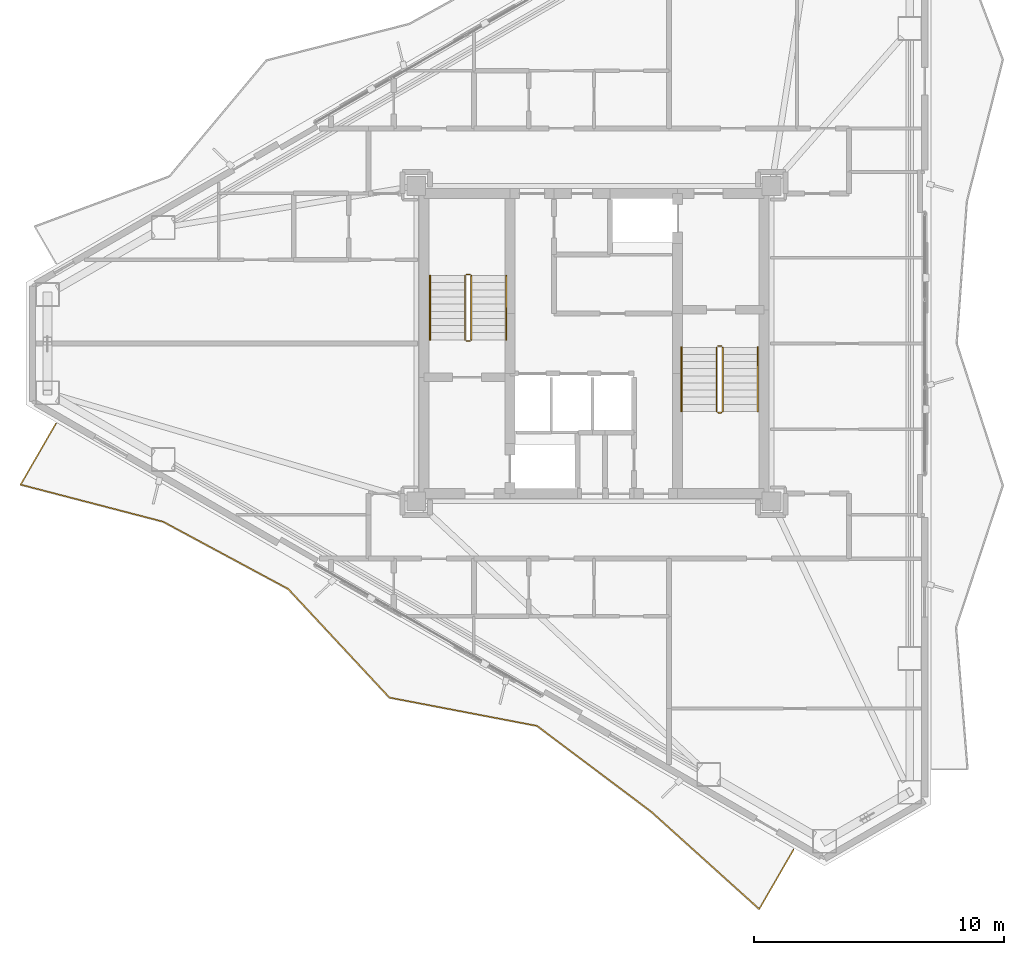
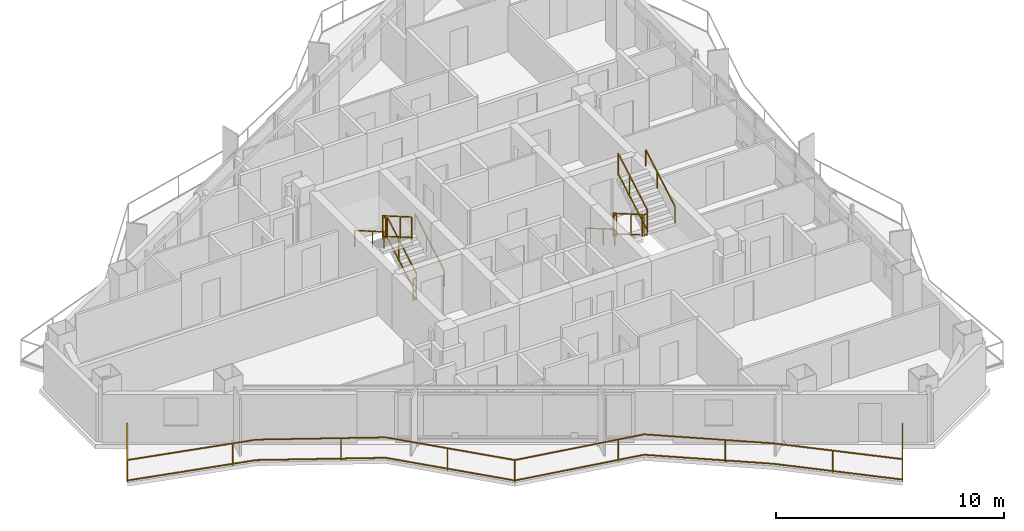
# One storey, part 17 of 18: 13 railings.
"""IFC4 building model written with IfcOpenShell, lengths in metres."""

from ifc_helpers import new_model, si_unit, direction, frame, origin, origin_2d, place, context, subcontext, project, spatial, rectangle, extrude, material, type_object, element, save


model = new_model("IFC4")

# Units and contexts
model_context = context("Model", 3, precision=1e-05, world=origin(), true_north=direction((0.0, 1.0)))
body_context = subcontext(model_context, "Body", "Model", "MODEL_VIEW")
ifc_project = project(units=[si_unit("LENGTHUNIT", "METRE"), si_unit("AREAUNIT", "SQUARE_METRE"), si_unit("VOLUMEUNIT", "CUBIC_METRE"), si_unit("PLANEANGLEUNIT", "RADIAN"), si_unit("MASSUNIT", "GRAM", prefix="KILO")], contexts=[model_context])

# Site, building, storey
site_placement = place(None, origin())
site = spatial("IfcSite", under=ifc_project, at=site_placement, CompositionType="ELEMENT")
building_placement = place(site_placement, origin())
building = spatial("IfcBuilding", under=site, at=building_placement, Name="Mersakhor Tower and Convention Hall", CompositionType="ELEMENT")
storey_placement = place(building_placement, frame((0.0, 0.0, 157.5)))
storey = spatial("IfcBuildingStorey", under=building, at=storey_placement, Name="L44", CompositionType="ELEMENT", Elevation=157.5)

# Railings
ifc_material_1 = material(Name="Powder-coated galvanised steel and laminated glass balustrade", Category="steel")
railing_type_1 = type_object("IfcRailingType", Name="RL-BAL-1200", PredefinedType="BALUSTRADE", material=ifc_material_1)
railing_1_placement = place(storey_placement, frame((7.497802734375, 23.5537109375, 0.0)))
element("IfcRailing", 1, at=railing_1_placement, inside=storey, type_object=railing_type_1, Name="L44 Sinusoidal Balcony Balustrade F3", PredefinedType="BALUSTRADE", context=body_context, shape_type="SweptSolid", body=[
    extrude(rectangle(XDim=0.048095703125, YDim=0.048095703125, at=origin_2d()), frame((0.0, 0.0, 1.17578125), z_axis=(-0.500049687543, -0.865996714767, 0.0), x_axis=(0.865996714767, -0.500049687543, 0.0)), (0.0, 0.0, 1.0), 2.820068359375),
    extrude(rectangle(XDim=0.048095703125, YDim=0.048095703125, at=origin_2d()), frame((0.0, 0.0, 0.080078125), z_axis=(-0.500049687543, -0.865996714767, 0.0), x_axis=(0.865996714767, -0.500049687543, 0.0)), (0.0, 0.0, 1.0), 2.820068359375),
    extrude(rectangle(XDim=0.048095703125, YDim=0.048095703125, at=origin_2d()), frame((-1.41015625, -2.442138671875, 1.17578125), z_axis=(0.967826142807, -0.251619866661, 0.0), x_axis=(0.251619866661, 0.967826142807, 0.0)), (0.0, 0.0, 1.0), 5.88671875),
    extrude(rectangle(XDim=0.048095703125, YDim=0.048095703125, at=origin_2d()), frame((-1.41015625, -2.442138671875, 0.080078125), z_axis=(0.967826142807, -0.251619866661, 0.0), x_axis=(0.251619866661, 0.967826142807, 0.0)), (0.0, 0.0, 1.0), 5.88671875),
    extrude(rectangle(XDim=0.048095703125, YDim=0.048095703125, at=origin_2d()), frame((4.287109375, -3.92333984375, 1.17578125), z_axis=(0.880780231077, -0.473525273394, 0.0), x_axis=(0.473525273394, 0.880780231077, 0.0)), (0.0, 0.0, 1.0), 5.677001953125),
    extrude(rectangle(XDim=0.048095703125, YDim=0.048095703125, at=origin_2d()), frame((4.287109375, -3.92333984375, 0.080078125), z_axis=(0.880780231077, -0.473525273394, 0.0), x_axis=(0.473525273394, 0.880780231077, 0.0)), (0.0, 0.0, 1.0), 5.677001953125),
    extrude(rectangle(XDim=0.048095703125, YDim=0.048095703125, at=origin_2d()), frame((9.287353515625, -6.611572265625, 1.17578125), z_axis=(0.681630508805, -0.731696555592, 0.0), x_axis=(0.731696555592, 0.681630508805, 0.0)), (0.0, 0.0, 1.0), 5.9345703125),
    extrude(rectangle(XDim=0.048095703125, YDim=0.048095703125, at=origin_2d()), frame((9.287353515625, -6.611572265625, 0.080078125), z_axis=(0.681630508805, -0.731696555592, 0.0), x_axis=(0.731696555592, 0.681630508805, 0.0)), (0.0, 0.0, 1.0), 5.9345703125),
    extrude(rectangle(XDim=0.048095703125, YDim=0.048095703125, at=origin_2d()), frame((13.33251953125, -10.953857421875, 1.17578125), z_axis=(0.982118753719, -0.188262459329, 0.0), x_axis=(0.188262459329, 0.982118753719, 0.0)), (0.0, 0.0, 1.0), 6.0068359375),
    extrude(rectangle(XDim=0.048095703125, YDim=0.048095703125, at=origin_2d()), frame((13.33251953125, -10.953857421875, 0.080078125), z_axis=(0.982118753719, -0.188262459329, 0.0), x_axis=(0.188262459329, 0.982118753719, 0.0)), (0.0, 0.0, 1.0), 6.0068359375),
    extrude(rectangle(XDim=0.048095703125, YDim=0.048095703125, at=origin_2d()), frame((19.23193359375, -12.084716796875, 1.17578125), z_axis=(0.799476905568, -0.600696826579, 0.0), x_axis=(0.600696826579, 0.799476905568, 0.0)), (0.0, 0.0, 1.0), 5.716064453125),
    extrude(rectangle(XDim=0.048095703125, YDim=0.048095703125, at=origin_2d()), frame((19.23193359375, -12.084716796875, 0.080078125), z_axis=(0.799476905568, -0.600696826579, 0.0), x_axis=(0.600696826579, 0.799476905568, 0.0)), (0.0, 0.0, 1.0), 5.716064453125),
    extrude(rectangle(XDim=0.048095703125, YDim=0.048095703125, at=origin_2d()), frame((23.8017578125, -15.518310546875, 1.17578125), z_axis=(0.742766657644, -0.669550365762, 0.0), x_axis=(0.669550365762, 0.742766657644, 0.0)), (0.0, 0.0, 1.0), 5.802001953125),
    extrude(rectangle(XDim=0.048095703125, YDim=0.048095703125, at=origin_2d()), frame((23.8017578125, -15.518310546875, 0.080078125), z_axis=(0.742766657644, -0.669550365762, 0.0), x_axis=(0.669550365762, 0.742766657644, 0.0)), (0.0, 0.0, 1.0), 5.802001953125),
    extrude(rectangle(XDim=0.048095703125, YDim=0.048095703125, at=origin_2d()), frame((28.111328125, -19.403076171875, 1.17578125), z_axis=(0.499999305434, 0.866025804792, 0.0), x_axis=(-0.866025804792, 0.499999305434, 0.0)), (0.0, 0.0, 1.0), 2.748046875),
    extrude(rectangle(XDim=0.048095703125, YDim=0.048095703125, at=origin_2d()), frame((28.111328125, -19.403076171875, 0.080078125), z_axis=(0.499999305434, 0.866025804792, 0.0), x_axis=(-0.866025804792, 0.499999305434, 0.0)), (0.0, 0.0, 1.0), 2.748046875),
    extrude(rectangle(XDim=0.0419921875, YDim=0.0419921875, at=origin_2d()), origin(), (0.0, 0.0, 1.0), 1.15185546875),
    extrude(rectangle(XDim=0.0419921875, YDim=0.0419921875, at=origin_2d()), frame((-1.41015625, -2.442138671875, 0.0)), (0.0, 0.0, 1.0), 1.15185546875),
    extrude(rectangle(XDim=0.0419921875, YDim=0.0419921875, at=origin_2d()), frame((3.2353515625, -3.64990234375, 0.0)), (0.0, 0.0, 1.0), 1.15185546875),
    extrude(rectangle(XDim=0.0419921875, YDim=0.0419921875, at=origin_2d()), frame((7.557861328125, -5.681640625, 0.0)), (0.0, 0.0, 1.0), 1.15185546875),
    extrude(rectangle(XDim=0.0419921875, YDim=0.0419921875, at=origin_2d()), frame((11.220703125, -8.686767578125, 0.0)), (0.0, 0.0, 1.0), 1.15185546875),
    extrude(rectangle(XDim=0.0419921875, YDim=0.0419921875, at=origin_2d()), frame((13.33251953125, -10.953857421875, 0.0)), (0.0, 0.0, 1.0), 1.15185546875),
    extrude(rectangle(XDim=0.0419921875, YDim=0.0419921875, at=origin_2d()), frame((18.046630859375, -11.857421875, 0.0)), (0.0, 0.0, 1.0), 1.15185546875),
    extrude(rectangle(XDim=0.0419921875, YDim=0.0419921875, at=origin_2d()), frame((22.1044921875, -14.2431640625, 0.0)), (0.0, 0.0, 1.0), 1.15185546875),
    extrude(rectangle(XDim=0.0419921875, YDim=0.0419921875, at=origin_2d()), frame((25.790283203125, -17.310791015625, 0.0)), (0.0, 0.0, 1.0), 1.15185546875),
    extrude(rectangle(XDim=0.0419921875, YDim=0.0419921875, at=origin_2d()), frame((28.111328125, -19.403076171875, 0.0)), (0.0, 0.0, 1.0), 1.15185546875),
    extrude(rectangle(XDim=0.0419921875, YDim=0.0419921875, at=origin_2d()), frame((29.4853515625, -17.023193359375, 0.0)), (0.0, 0.0, 1.0), 1.15185546875),
])
ifc_material_2 = material(Name="Brushed stainless steel handrail", Category="steel")
railing_type_2 = type_object("IfcRailingType", Name="RL-HR-900", PredefinedType="HANDRAIL", material=ifc_material_2)
railing_2_placement = place(storey_placement, frame((25.5, 26.89990234375, 0.1650390625)))
element("IfcRailing", 2, at=railing_2_placement, inside=storey, type_object=railing_type_2, Name="L44 ST-1 stair handrail 1", PredefinedType="HANDRAIL", context=body_context, shape_type="SweptSolid", body=[
    extrude(rectangle(XDim=0.048095703125, YDim=0.048095703125, at=origin_2d()), frame((0.0, 0.0, 0.8759765625), z_axis=(0.0, 0.865461999751, 0.500974577186), x_axis=(-1.0, 0.0, 0.0)), (0.0, 0.0, 1.0), 2.9638671875),
    extrude(rectangle(XDim=0.0419921875, YDim=0.0419921875, at=origin_2d()), origin(), (0.0, 0.0, 1.0), 0.851806640625),
    extrude(rectangle(XDim=0.0419921875, YDim=0.0419921875, at=origin_2d()), frame((0.0, 1.557861328125, 0.90185546875)), (0.0, 0.0, 1.0), 0.851806640625),
    extrude(rectangle(XDim=0.0419921875, YDim=0.0419921875, at=origin_2d()), frame((0.0, 2.565185546875, 1.48486328125)), (0.0, 0.0, 1.0), 0.851806640625),
])
railing_3_placement = place(storey_placement, frame((22.449951171875, 29.465087890625, 1.81494140625)))
element("IfcRailing", 3, at=railing_3_placement, inside=storey, type_object=railing_type_2, Name="L44 ST-1 stair handrail 2", PredefinedType="HANDRAIL", context=body_context, shape_type="SweptSolid", body=[
    extrude(rectangle(XDim=0.048095703125, YDim=0.048095703125, at=origin_2d()), frame((0.0, 0.0, 0.8759765625), z_axis=(0.0, -0.865426285481, 0.501036270542), x_axis=(1.0, 0.0, 0.0)), (0.0, 0.0, 1.0), 2.964111328125),
    extrude(rectangle(XDim=0.0419921875, YDim=0.0419921875, at=origin_2d()), origin(), (0.0, 0.0, 1.0), 0.851806640625),
    extrude(rectangle(XDim=0.0419921875, YDim=0.0419921875, at=origin_2d()), frame((0.0, -1.557861328125, 0.90185546875)), (0.0, 0.0, 1.0), 0.851806640625),
    extrude(rectangle(XDim=0.0419921875, YDim=0.0419921875, at=origin_2d()), frame((0.0, -2.565185546875, 1.485107421875)), (0.0, 0.0, 1.0), 0.851806640625),
])
railing_4_placement = place(storey_placement, frame((32.5, 26.60009765625, 0.1650390625)))
element("IfcRailing", 4, at=railing_4_placement, inside=storey, type_object=railing_type_2, Name="L44 ST-2 stair handrail 1", PredefinedType="HANDRAIL", context=body_context, shape_type="SweptSolid", body=[
    extrude(rectangle(XDim=0.048095703125, YDim=0.048095703125, at=origin_2d()), frame((0.0, 0.0, 0.8759765625), z_axis=(0.0, -0.865461999751, 0.500974577186), x_axis=(1.0, 0.0, 0.0)), (0.0, 0.0, 1.0), 2.9638671875),
    extrude(rectangle(XDim=0.0419921875, YDim=0.0419921875, at=origin_2d()), origin(), (0.0, 0.0, 1.0), 0.851806640625),
    extrude(rectangle(XDim=0.0419921875, YDim=0.0419921875, at=origin_2d()), frame((0.0, -1.557861328125, 0.90185546875)), (0.0, 0.0, 1.0), 0.851806640625),
    extrude(rectangle(XDim=0.0419921875, YDim=0.0419921875, at=origin_2d()), frame((0.0, -2.565185546875, 1.48486328125)), (0.0, 0.0, 1.0), 0.851806640625),
])
railing_5_placement = place(storey_placement, frame((35.550048828125, 24.034912109375, 1.81494140625)))
element("IfcRailing", 5, at=railing_5_placement, inside=storey, type_object=railing_type_2, Name="L44 ST-2 stair handrail 2", PredefinedType="HANDRAIL", context=body_context, shape_type="SweptSolid", body=[
    extrude(rectangle(XDim=0.048095703125, YDim=0.048095703125, at=origin_2d()), frame((0.0, 0.0, 0.8759765625), z_axis=(0.0, 0.865426285481, 0.501036270542), x_axis=(-1.0, 0.0, 0.0)), (0.0, 0.0, 1.0), 2.964111328125),
    extrude(rectangle(XDim=0.0419921875, YDim=0.0419921875, at=origin_2d()), origin(), (0.0, 0.0, 1.0), 0.851806640625),
    extrude(rectangle(XDim=0.0419921875, YDim=0.0419921875, at=origin_2d()), frame((0.0, 1.557861328125, 0.90185546875)), (0.0, 0.0, 1.0), 0.851806640625),
    extrude(rectangle(XDim=0.0419921875, YDim=0.0419921875, at=origin_2d()), frame((0.0, 2.565185546875, 1.485107421875)), (0.0, 0.0, 1.0), 0.851806640625),
])
ifc_material_3 = material(Name="Painted steel stair balustrade S355", Category="steel")
railing_type_3 = type_object("IfcRailingType", Name="RL-STG-1200", PredefinedType="BALUSTRADE", material=ifc_material_3)
railing_6_placement = place(storey_placement, frame((24.10009765625, 26.89990234375, 0.1650390625)))
element("IfcRailing", 6, at=railing_6_placement, inside=storey, type_object=railing_type_3, Name="L44 ST-1 stair guard 1", PredefinedType="BALUSTRADE", context=body_context, shape_type="SweptSolid", body=[
    extrude(rectangle(XDim=0.048095703125, YDim=0.048095703125, at=origin_2d()), frame((0.0, 0.0, 1.17578125), z_axis=(0.0, 0.865461999751, 0.500974577186), x_axis=(-1.0, 0.0, 0.0)), (0.0, 0.0, 1.0), 2.9638671875),
    extrude(rectangle(XDim=0.048095703125, YDim=0.048095703125, at=origin_2d()), frame((0.0, 0.0, 0.080078125), z_axis=(0.0, 0.865461999751, 0.500974577186), x_axis=(-1.0, 0.0, 0.0)), (0.0, 0.0, 1.0), 2.9638671875),
    extrude(rectangle(XDim=0.0419921875, YDim=0.0419921875, at=origin_2d()), origin(), (0.0, 0.0, 1.0), 1.15185546875),
    extrude(rectangle(XDim=0.0419921875, YDim=0.0419921875, at=origin_2d()), frame((0.0, 1.557861328125, 0.90185546875)), (0.0, 0.0, 1.0), 1.15185546875),
    extrude(rectangle(XDim=0.0419921875, YDim=0.0419921875, at=origin_2d()), frame((0.0, 2.565185546875, 1.48486328125)), (0.0, 0.0, 1.0), 1.15185546875),
])
railing_7_placement = place(storey_placement, frame((24.050048828125, 29.514892578125, 1.64990234375)))
element("IfcRailing", 7, at=railing_7_placement, inside=storey, type_object=railing_type_3, Name="L44 ST-1 stair guard 2", PredefinedType="BALUSTRADE", context=body_context, shape_type="SweptSolid", body=[
    extrude(rectangle(XDim=0.048095703125, YDim=0.048095703125, at=origin_2d()), frame((0.0, 0.0, 1.17578125), z_axis=(-1.0, 0.0, 0.0), x_axis=(0.0, -1.0, 0.0)), (0.0, 0.0, 1.0), 0.150146484375),
    extrude(rectangle(XDim=0.048095703125, YDim=0.048095703125, at=origin_2d()), frame((0.0, 0.0, 0.080078125), z_axis=(-1.0, 0.0, 0.0), x_axis=(0.0, -1.0, 0.0)), (0.0, 0.0, 1.0), 0.150146484375),
    extrude(rectangle(XDim=0.0419921875, YDim=0.0419921875, at=origin_2d()), origin(), (0.0, 0.0, 1.0), 1.15185546875),
    extrude(rectangle(XDim=0.0419921875, YDim=0.0419921875, at=origin_2d()), frame((-0.150146484375, 0.0, 0.0)), (0.0, 0.0, 1.0), 1.15185546875),
])
railing_8_placement = place(storey_placement, frame((23.85009765625, 29.465087890625, 1.81494140625)))
element("IfcRailing", 8, at=railing_8_placement, inside=storey, type_object=railing_type_3, Name="L44 ST-1 stair guard 3", PredefinedType="BALUSTRADE", context=body_context, shape_type="SweptSolid", body=[
    extrude(rectangle(XDim=0.048095703125, YDim=0.048095703125, at=origin_2d()), frame((0.0, 0.0, 1.17578125), z_axis=(0.0, -0.865426285481, 0.501036270542), x_axis=(1.0, 0.0, 0.0)), (0.0, 0.0, 1.0), 2.964111328125),
    extrude(rectangle(XDim=0.048095703125, YDim=0.048095703125, at=origin_2d()), frame((0.0, 0.0, 0.080078125), z_axis=(0.0, -0.865426285481, 0.501036270542), x_axis=(1.0, 0.0, 0.0)), (0.0, 0.0, 1.0), 2.964111328125),
    extrude(rectangle(XDim=0.0419921875, YDim=0.0419921875, at=origin_2d()), origin(), (0.0, 0.0, 1.0), 1.15185546875),
    extrude(rectangle(XDim=0.0419921875, YDim=0.0419921875, at=origin_2d()), frame((0.0, -1.557861328125, 0.90185546875)), (0.0, 0.0, 1.0), 1.15185546875),
    extrude(rectangle(XDim=0.0419921875, YDim=0.0419921875, at=origin_2d()), frame((0.0, -2.565185546875, 1.485107421875)), (0.0, 0.0, 1.0), 1.15185546875),
])
railing_9_placement = place(storey_placement, frame((24.050048828125, 26.85009765625, 0.0)))
element("IfcRailing", 9, at=railing_9_placement, inside=storey, type_object=railing_type_3, Name="L44 ST-1 stair guard 4", PredefinedType="BALUSTRADE", context=body_context, shape_type="SweptSolid", body=[
    extrude(rectangle(XDim=0.048095703125, YDim=0.048095703125, at=origin_2d()), frame((0.0, 0.0, 1.17578125), z_axis=(-1.0, 0.0, 0.0), x_axis=(0.0, -1.0, 0.0)), (0.0, 0.0, 1.0), 0.150146484375),
    extrude(rectangle(XDim=0.048095703125, YDim=0.048095703125, at=origin_2d()), frame((0.0, 0.0, 0.080078125), z_axis=(-1.0, 0.0, 0.0), x_axis=(0.0, -1.0, 0.0)), (0.0, 0.0, 1.0), 0.150146484375),
    extrude(rectangle(XDim=0.0419921875, YDim=0.0419921875, at=origin_2d()), origin(), (0.0, 0.0, 1.0), 1.15185546875),
    extrude(rectangle(XDim=0.0419921875, YDim=0.0419921875, at=origin_2d()), frame((-0.150146484375, 0.0, 0.0)), (0.0, 0.0, 1.0), 1.15185546875),
])
railing_10_placement = place(storey_placement, frame((33.89990234375, 26.60009765625, 0.1650390625)))
element("IfcRailing", 10, at=railing_10_placement, inside=storey, type_object=railing_type_3, Name="L44 ST-2 stair guard 1", PredefinedType="BALUSTRADE", context=body_context, shape_type="SweptSolid", body=[
    extrude(rectangle(XDim=0.048095703125, YDim=0.048095703125, at=origin_2d()), frame((0.0, 0.0, 1.17578125), z_axis=(0.0, -0.865461999751, 0.500974577186), x_axis=(1.0, 0.0, 0.0)), (0.0, 0.0, 1.0), 2.9638671875),
    extrude(rectangle(XDim=0.048095703125, YDim=0.048095703125, at=origin_2d()), frame((0.0, 0.0, 0.080078125), z_axis=(0.0, -0.865461999751, 0.500974577186), x_axis=(1.0, 0.0, 0.0)), (0.0, 0.0, 1.0), 2.9638671875),
    extrude(rectangle(XDim=0.0419921875, YDim=0.0419921875, at=origin_2d()), origin(), (0.0, 0.0, 1.0), 1.15185546875),
    extrude(rectangle(XDim=0.0419921875, YDim=0.0419921875, at=origin_2d()), frame((0.0, -1.557861328125, 0.90185546875)), (0.0, 0.0, 1.0), 1.15185546875),
    extrude(rectangle(XDim=0.0419921875, YDim=0.0419921875, at=origin_2d()), frame((0.0, -2.565185546875, 1.48486328125)), (0.0, 0.0, 1.0), 1.15185546875),
])
railing_11_placement = place(storey_placement, frame((33.949951171875, 23.985107421875, 1.64990234375)))
element("IfcRailing", 11, at=railing_11_placement, inside=storey, type_object=railing_type_3, Name="L44 ST-2 stair guard 2", PredefinedType="BALUSTRADE", context=body_context, shape_type="SweptSolid", body=[
    extrude(rectangle(XDim=0.048095703125, YDim=0.048095703125, at=origin_2d()), frame((0.0, 0.0, 1.17578125), z_axis=(1.0, 0.0, 0.0), x_axis=(0.0, 1.0, 0.0)), (0.0, 0.0, 1.0), 0.150146484375),
    extrude(rectangle(XDim=0.048095703125, YDim=0.048095703125, at=origin_2d()), frame((0.0, 0.0, 0.080078125), z_axis=(1.0, 0.0, 0.0), x_axis=(0.0, 1.0, 0.0)), (0.0, 0.0, 1.0), 0.150146484375),
    extrude(rectangle(XDim=0.0419921875, YDim=0.0419921875, at=origin_2d()), origin(), (0.0, 0.0, 1.0), 1.15185546875),
    extrude(rectangle(XDim=0.0419921875, YDim=0.0419921875, at=origin_2d()), frame((0.150146484375, 0.0, 0.0)), (0.0, 0.0, 1.0), 1.15185546875),
])
railing_12_placement = place(storey_placement, frame((34.14990234375, 24.034912109375, 1.81494140625)))
element("IfcRailing", 12, at=railing_12_placement, inside=storey, type_object=railing_type_3, Name="L44 ST-2 stair guard 3", PredefinedType="BALUSTRADE", context=body_context, shape_type="SweptSolid", body=[
    extrude(rectangle(XDim=0.048095703125, YDim=0.048095703125, at=origin_2d()), frame((0.0, 0.0, 1.17578125), z_axis=(0.0, 0.865426285481, 0.501036270542), x_axis=(-1.0, 0.0, 0.0)), (0.0, 0.0, 1.0), 2.964111328125),
    extrude(rectangle(XDim=0.048095703125, YDim=0.048095703125, at=origin_2d()), frame((0.0, 0.0, 0.080078125), z_axis=(0.0, 0.865426285481, 0.501036270542), x_axis=(-1.0, 0.0, 0.0)), (0.0, 0.0, 1.0), 2.964111328125),
    extrude(rectangle(XDim=0.0419921875, YDim=0.0419921875, at=origin_2d()), origin(), (0.0, 0.0, 1.0), 1.15185546875),
    extrude(rectangle(XDim=0.0419921875, YDim=0.0419921875, at=origin_2d()), frame((0.0, 1.557861328125, 0.90185546875)), (0.0, 0.0, 1.0), 1.15185546875),
    extrude(rectangle(XDim=0.0419921875, YDim=0.0419921875, at=origin_2d()), frame((0.0, 2.565185546875, 1.485107421875)), (0.0, 0.0, 1.0), 1.15185546875),
])
railing_13_placement = place(storey_placement, frame((33.949951171875, 26.64990234375, 0.0)))
element("IfcRailing", 13, at=railing_13_placement, inside=storey, type_object=railing_type_3, Name="L44 ST-2 stair guard 4", PredefinedType="BALUSTRADE", context=body_context, shape_type="SweptSolid", body=[
    extrude(rectangle(XDim=0.048095703125, YDim=0.048095703125, at=origin_2d()), frame((0.0, 0.0, 1.17578125), z_axis=(1.0, 0.0, 0.0), x_axis=(0.0, 1.0, 0.0)), (0.0, 0.0, 1.0), 0.150146484375),
    extrude(rectangle(XDim=0.048095703125, YDim=0.048095703125, at=origin_2d()), frame((0.0, 0.0, 0.080078125), z_axis=(1.0, 0.0, 0.0), x_axis=(0.0, 1.0, 0.0)), (0.0, 0.0, 1.0), 0.150146484375),
    extrude(rectangle(XDim=0.0419921875, YDim=0.0419921875, at=origin_2d()), origin(), (0.0, 0.0, 1.0), 1.15185546875),
    extrude(rectangle(XDim=0.0419921875, YDim=0.0419921875, at=origin_2d()), frame((0.150146484375, 0.0, 0.0)), (0.0, 0.0, 1.0), 1.15185546875),
])

save(model, "model.ifc")
